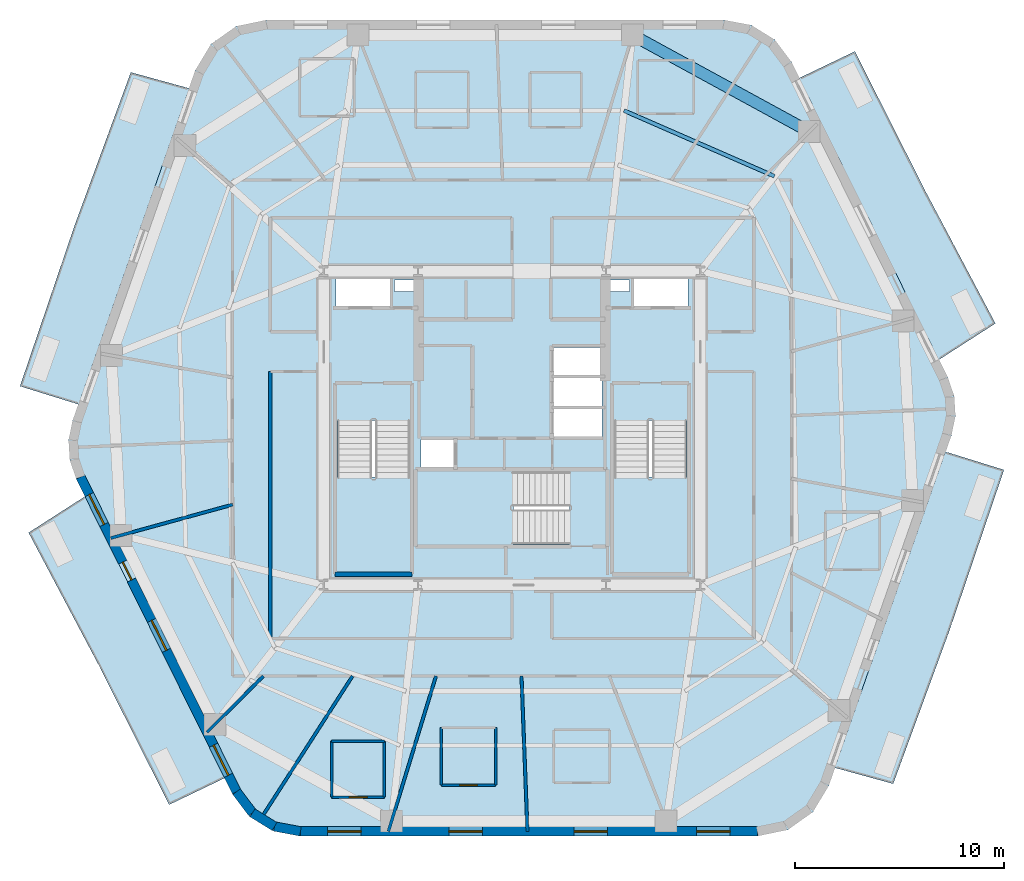
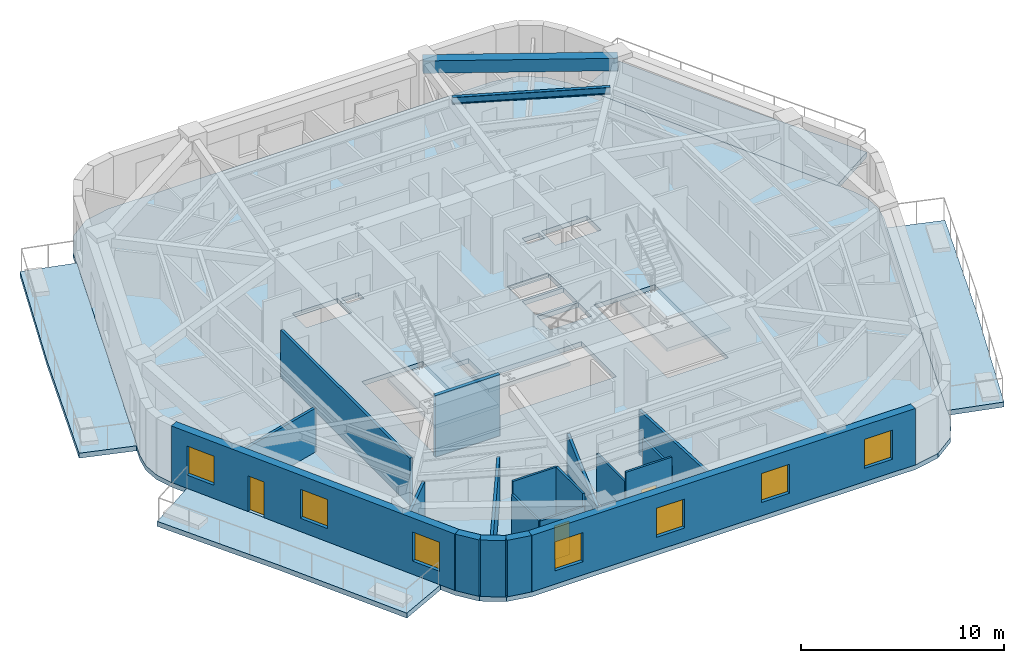
# One storey, part 2 of 10: 19 walls, 8 slabs, 7 windows, 3 doors, 2 beams, 10 openings, 3 elements without a shape of their own.
"""IFC4 building model written with IfcOpenShell, lengths in metres."""

import ifcopenshell
import ifcopenshell.guid

model = None  # the IFC model being written
_history = None  # IfcOwnerHistory: only IFC2X3 demands one
_inside = {}  # id of a spatial element -> (the spatial element, [elements in it])
_under = {}  # id of a project, library or spatial element -> (it, [spatial elements below it])
_declared = {}  # id of a project -> (the project, [libraries it declares])
_typed = {}  # id of a type object -> (the type object, [elements of that type])
_made_of = {}  # id of a material, layer set ... -> (it, [elements and type objects made of it])


def new_model(schema):
    """Start an empty IFC model of exactly this schema.

    Asked for "IFC4X3", IfcOpenShell would pick the latest addendum, in which some entities
    have other attributes; the version numbers below select the first issue.
    IFC2X3 requires an IfcOwnerHistory on every rooted entity: one is made here for all.
    """
    global model, _history
    if schema == "IFC4X3":
        model = ifcopenshell.file(schema_version=(4, 3, 0, 0))
    else:
        model = ifcopenshell.file(schema=schema)
    _inside.clear()
    _under.clear()
    _declared.clear()
    _typed.clear()
    _made_of.clear()
    _history = None
    if model.schema == "IFC2X3":
        org = make("IfcOrganization", Name="unknown")
        user = make(
            "IfcPersonAndOrganization",
            ThePerson=make("IfcPerson", FamilyName="unknown"),
            TheOrganization=org,
        )
        app = make(
            "IfcApplication",
            ApplicationDeveloper=org,
            Version="unknown",
            ApplicationFullName="unknown",
            ApplicationIdentifier="unknown",
        )
        _history = make(
            "IfcOwnerHistory",
            OwningUser=user,
            OwningApplication=app,
            ChangeAction="ADDED",
            CreationDate=0,
        )
    return model


def make(cls, **values):
    """One entity of the class cls with the attributes given. An attribute that is None is left unset."""
    return model.create_entity(
        cls, **{name: value for name, value in values.items() if value is not None}
    )


def rooted(cls, **values):
    """An entity with a GlobalId (a new one), such as an element, a storey or a relation."""
    return make(cls, GlobalId=ifcopenshell.guid.new(), OwnerHistory=_history, **values)


def si_unit(unit_type, name, prefix=None):
    """IfcSIUnit, for example si_unit("LENGTHUNIT", "METRE", prefix="MILLI")."""
    return make("IfcSIUnit", UnitType=unit_type, Prefix=prefix, Name=name)


def assignment(units):
    """IfcUnitAssignment: the units of a project."""
    return None if units is None else make("IfcUnitAssignment", Units=units)


def point(xyz):
    """IfcCartesianPoint."""
    return None if xyz is None else make("IfcCartesianPoint", Coordinates=xyz)


def direction(xyz):
    """IfcDirection."""
    return None if xyz is None else make("IfcDirection", DirectionRatios=xyz)


def frame(location, z_axis=None, x_axis=None):
    """IfcAxis2Placement3D, a coordinate frame: its origin and axes. An axis left out is left unset."""
    return make(
        "IfcAxis2Placement3D",
        Location=point(location),
        Axis=direction(z_axis),
        RefDirection=direction(x_axis),
    )


def frame_2d(location, x_axis=None):
    """IfcAxis2Placement2D, a coordinate frame in the plane: its origin and x axis."""
    return make(
        "IfcAxis2Placement2D", Location=point(location), RefDirection=direction(x_axis)
    )


def origin():
    """The frame at (0, 0, 0) with its axes left unset."""
    return frame((0.0, 0.0, 0.0))


def origin_2d():
    """The frame at (0, 0) in the plane with its x axis left unset."""
    return frame_2d((0.0, 0.0))


def place(relative_to, where):
    """IfcLocalPlacement: puts the frame where relative to a parent placement (None: the world)."""
    return make(
        "IfcLocalPlacement", PlacementRelTo=relative_to, RelativePlacement=where
    )


def context(
    kind, dimensions, precision=None, world=None, true_north=None, identifier=None
):
    """IfcGeometricRepresentationContext, for example the 3D "Model" context."""
    return make(
        "IfcGeometricRepresentationContext",
        ContextIdentifier=identifier,
        ContextType=kind,
        CoordinateSpaceDimension=dimensions,
        Precision=precision,
        WorldCoordinateSystem=world,
        TrueNorth=true_north,
    )


def subcontext(parent, identifier, kind, view, scale=None):
    """IfcGeometricRepresentationSubContext, for example "Body" below "Model"."""
    return make(
        "IfcGeometricRepresentationSubContext",
        ContextIdentifier=identifier,
        ContextType=kind,
        ParentContext=parent,
        TargetScale=scale,
        TargetView=view,
    )


def project(units=None, contexts=None):
    """IfcProject with its units and contexts."""
    return rooted(
        "IfcProject",
        Name="project",
        RepresentationContexts=contexts,
        UnitsInContext=assignment(units),
    )


def spatial(cls, under=None, at=None, **own):
    """A site, building, storey or space (cls), placed at a placement, below another one or the project."""
    s = rooted(cls, ObjectPlacement=at, **own)
    if under is not None:
        _under.setdefault(under.id(), (under, []))[1].append(s)
    return s


def polyline(points):
    """IfcPolyline through the points."""
    return make("IfcPolyline", Points=[point(p) for p in points])


def profile(cls, at=None, kind="AREA", **sizes):
    """A parametric profile (cls). Its sizes go by their IFC names, for example OverallWidth=200.0."""
    return make(cls, ProfileType=kind, Position=at, **sizes)


def rectangle(**sizes):
    """IfcRectangleProfileDef."""
    return profile("IfcRectangleProfileDef", **sizes)


def i_section(**sizes):
    """IfcIShapeProfileDef."""
    return profile("IfcIShapeProfileDef", **sizes)


def outline(outer, holes=None, kind="AREA"):
    """IfcArbitraryClosedProfileDef: a profile drawn as a closed curve; with holes, ...WithVoids."""
    if holes is None:
        return make("IfcArbitraryClosedProfileDef", ProfileType=kind, OuterCurve=outer)
    return make(
        "IfcArbitraryProfileDefWithVoids",
        ProfileType=kind,
        OuterCurve=outer,
        InnerCurves=holes,
    )


def extrude(swept, where, along, depth):
    """IfcExtrudedAreaSolid: the profile swept, set in the frame where, extruded along a direction by depth."""
    return make(
        "IfcExtrudedAreaSolid",
        SweptArea=swept,
        Position=where,
        ExtrudedDirection=direction(along),
        Depth=depth,
    )


def shape(context_of_items, identifier, shape_type, items):
    """IfcShapeRepresentation: the items that make up one representation, for example the "Body"."""
    return make(
        "IfcShapeRepresentation",
        ContextOfItems=context_of_items,
        RepresentationIdentifier=identifier,
        RepresentationType=shape_type,
        Items=items,
    )


def material(Name=None, Category=None):
    """IfcMaterial."""
    return make("IfcMaterial", Name=Name, Category=Category)


def layer(
    of_material, thickness, ventilated=None, Name=None, Category=None, Priority=None
):
    """IfcMaterialLayer: one layer of a wall or slab, of a material (None: an air gap)."""
    return make(
        "IfcMaterialLayer",
        Material=of_material,
        LayerThickness=thickness,
        IsVentilated=ventilated,
        Name=Name,
        Category=Category,
        Priority=Priority,
    )


def layer_set(layers, Name=None):
    """IfcMaterialLayerSet."""
    return make("IfcMaterialLayerSet", MaterialLayers=layers, LayerSetName=Name)


def material_profile(
    of_material, cross_section, Name=None, Category=None, Priority=None
):
    """IfcMaterialProfile: a cross section and its material."""
    return make(
        "IfcMaterialProfile",
        Name=Name,
        Material=of_material,
        Profile=cross_section,
        Priority=Priority,
        Category=Category,
    )


def profile_set(profiles, Name=None, composite=None):
    """IfcMaterialProfileSet."""
    return make(
        "IfcMaterialProfileSet",
        Name=Name,
        MaterialProfiles=profiles,
        CompositeProfile=composite,
    )


def made_of(thing, what):
    """Note that an element or type object is made of a material, layer set ...; save() writes the relation."""
    if what is not None:
        _made_of.setdefault(what.id(), (what, []))[1].append(thing)
    return thing


def type_object(cls, material=None, **own):
    """A type object (cls), such as IfcWallType, which elements share."""
    return made_of(rooted(cls, **own), material)


def element(
    cls,
    number,
    at=None,
    inside=None,
    cuts=None,
    type_object=None,
    material=None,
    context=None,
    identifier="Body",
    shape_type=None,
    held_by="IfcProductDefinitionShape",
    body=None,
    shapes=None,
    **own,
):
    """One element of the class cls, such as IfcWall. Its Tag is "e" and its number.

    at: its placement. inside: the storey or other place that contains it. cuts: it is an
    opening in that element (IfcRelVoidsElement). A single representation is given by context,
    identifier, shape_type and body (its items); several are given by shapes. held_by: the class
    of the entity that holds the representations. save() writes the other relations.
    """
    e = rooted(cls, Tag="e%d" % number, ObjectPlacement=at, **own)
    if body is not None:
        shapes = [shape(context, identifier, shape_type, body)]
    if shapes is not None:
        e.Representation = make(held_by, Representations=shapes)
    if inside is not None:
        _inside.setdefault(inside.id(), (inside, []))[1].append(e)
    if cuts is not None:
        rooted(
            "IfcRelVoidsElement", RelatingBuildingElement=cuts, RelatedOpeningElement=e
        )
    if type_object is not None:
        _typed.setdefault(type_object.id(), (type_object, []))[1].append(e)
    return made_of(e, material)


def fill(opening, filler):
    """IfcRelFillsElement: the door or window that sits in an opening."""
    return rooted(
        "IfcRelFillsElement",
        RelatingOpeningElement=opening,
        RelatedBuildingElement=filler,
    )


def aggregate(whole, parts):
    """IfcRelAggregates: a whole, such as a stair, and the parts it consists of."""
    return rooted("IfcRelAggregates", RelatingObject=whole, RelatedObjects=parts)


def save(model, path):
    """Write the relations noted so far, then the file.

    IfcRelAggregates (storeys below a building ...), IfcRelContainedInSpatialStructure (elements
    in a storey), IfcRelDefinesByType, IfcRelAssociatesMaterial and IfcRelDeclares: one each for
    every whole, place, type object, material and project.
    """
    for whole, parts in _under.values():
        aggregate(whole, parts)
    for where, things in _inside.values():
        rooted(
            "IfcRelContainedInSpatialStructure",
            RelatedElements=things,
            RelatingStructure=where,
        )
    for kind, things in _typed.values():
        rooted("IfcRelDefinesByType", RelatedObjects=things, RelatingType=kind)
    for what, things in _made_of.values():
        rooted("IfcRelAssociatesMaterial", RelatedObjects=things, RelatingMaterial=what)
    for by, libraries in _declared.values():
        rooted("IfcRelDeclares", RelatingContext=by, RelatedDefinitions=libraries)
    model.write(path)


model = new_model("IFC4")

# Units and contexts
model_context = context("Model", 3, precision=1e-05, world=origin(), true_north=direction((0.0, 1.0)))
body_context = subcontext(model_context, "Body", "Model", "MODEL_VIEW")
ifc_project = project(units=[si_unit("LENGTHUNIT", "METRE"), si_unit("AREAUNIT", "SQUARE_METRE"), si_unit("VOLUMEUNIT", "CUBIC_METRE"), si_unit("PLANEANGLEUNIT", "RADIAN"), si_unit("MASSUNIT", "GRAM", prefix="KILO")], contexts=[model_context])

# Site, building, storey
site_placement = place(None, origin())
site = spatial("IfcSite", under=ifc_project, at=site_placement, CompositionType="ELEMENT")
building_placement = place(site_placement, origin())
building = spatial("IfcBuilding", under=site, at=building_placement, Name="Kilnhurst Terrace Hotel", CompositionType="ELEMENT")
storey_placement = place(building_placement, frame((0.0, 0.0, 179.300048828125)))
storey = spatial("IfcBuildingStorey", under=building, at=storey_placement, Name="L44", CompositionType="ELEMENT", Elevation=179.300048828125)

# Beams
ifc_material_1 = material(Name="Concrete C50/60", Category="concrete")
ifc_material_profile_1 = material_profile(ifc_material_1, rectangle(XDim=0.550048828125, YDim=0.75, at=origin_2d()), Name="RC550X750")
ifc_profile_set_1 = profile_set([ifc_material_profile_1], Name="Concrete C50/60")
beam_type_1 = type_object("IfcBeamType", Name="BM-SPN-550X750", PredefinedType="SPANDREL", material=ifc_profile_set_1)
beam_1_placement = place(storey_placement, frame((14.2041015625, 14.166015625, 3.02490234375), z_axis=(-0.87766189723, 0.479280287672, 0.0), x_axis=(-0.479280287672, -0.87766189723, 0.0)))
element("IfcBeam", 1, at=beam_1_placement, inside=storey, type_object=beam_type_1, Name="L44 Perimeter Spandrel Beam 6", PredefinedType="SPANDREL", context=body_context, shape_type="SweptSolid", body=[
    extrude(rectangle(XDim=0.550048828125, YDim=0.75, at=origin_2d()), origin(), (0.0, 0.0, 1.0), 9.626953125),
])
ifc_material_2 = material(Name="Steel ASTM A992 Grade 50", Category="steel")
ifc_material_profile_2 = material_profile(ifc_material_2, i_section(OverallWidth=0.180908203125, OverallDepth=0.417236328125, WebThickness=0.010986328125, FlangeThickness=0.018310546875, at=origin_2d()), Name="W16X57")
ifc_profile_set_2 = profile_set([ifc_material_profile_2], Name="Steel ASTM A992 Grade 50")
beam_type_2 = type_object("IfcBeamType", Name="JST-STL-W16X57", PredefinedType="JOIST", material=ifc_profile_set_2)
beam_2_placement = place(storey_placement, frame((12.538818359375, 12.032958984375, 3.19091796875), z_axis=(-0.916443679054, 0.400163695407, 0.0), x_axis=(-0.400163695407, -0.916443679054, 0.0)))
element("IfcBeam", 2, at=beam_2_placement, inside=storey, type_object=beam_type_2, Name="L44 Secondary Floor Steel Joist OUT.6", PredefinedType="JOIST", context=body_context, shape_type="SweptSolid", body=[
    extrude(i_section(OverallWidth=0.180908203125, OverallDepth=0.417236328125, WebThickness=0.010986328125, FlangeThickness=0.018310546875, at=origin_2d()), origin(), (0.0, 0.0, 1.0), 7.84033203125),
])

# Slabs
ifc_layer_1 = layer(ifc_material_1, 0.300048828125, Name="Concrete C50/60")
ifc_layer_set_1 = layer_set([ifc_layer_1], Name="Concrete C50/60")
slab_type_1 = type_object("IfcSlabType", Name="SLB-BAL-300", PredefinedType="FLOOR", material=ifc_layer_set_1)
slab_1_placement = place(storey_placement, frame((0.0, 0.0, -0.300048828125)))
element("IfcSlab", 3, at=slab_1_placement, inside=storey, type_object=slab_type_1, Name="L44 Cantilevered Planted Terrace Slab BAL-L1A", PredefinedType="FLOOR", context=body_context, shape_type="SweptSolid", body=[
    extrude(outline(polyline([(20.892333984375, -9.7119140625), (18.216064453125, -17.0), (15.420654296875, -16.2314453125), (20.708251953125, -1.128662109375), (23.511962890625, -2.0), (20.892333984375, -9.7119140625)])), origin(), (0.0, 0.0, 1.0), 0.300048828125),
])
slab_2_placement = place(storey_placement, frame((0.0, 0.0, -0.300048828125)))
element("IfcSlab", 4, at=slab_2_placement, inside=storey, type_object=slab_type_1, Name="L44 Cantilevered Planted Terrace Slab BAL-L1B", PredefinedType="FLOOR", context=body_context, shape_type="SweptSolid", body=[
    extrude(outline(polyline([(23.100830078125, 5.0), (20.393310546875, 3.25927734375), (13.718505859375, 16.72021484375), (16.384033203125, 18.0), (19.769287109375, 11.293212890625), (23.100830078125, 5.0)])), origin(), (0.0, 0.0, 1.0), 0.300048828125),
])
slab_3_placement = place(storey_placement, frame((0.0, 0.0, -0.300048828125)))
element("IfcSlab", 5, at=slab_3_placement, inside=storey, type_object=slab_type_1, Name="L44 Cantilevered Planted Terrace Slab BAL-L2A", PredefinedType="FLOOR", context=body_context, shape_type="SweptSolid", body=[
    extrude(outline(polyline([(-18.216064453125, 17.0), (-15.420654296875, 16.2314453125), (-20.708251953125, 1.128662109375), (-23.511962890625, 2.0), (-20.892333984375, 9.7119140625), (-18.216064453125, 17.0)])), origin(), (0.0, 0.0, 1.0), 0.300048828125),
])
slab_4_placement = place(storey_placement, frame((0.0, 0.0, -0.300048828125)))
element("IfcSlab", 6, at=slab_4_placement, inside=storey, type_object=slab_type_1, Name="L44 Cantilevered Planted Terrace Slab BAL-L2B", PredefinedType="FLOOR", context=body_context, shape_type="SweptSolid", body=[
    extrude(outline(polyline([(-23.100830078125, -5.0), (-20.393310546875, -3.25927734375), (-13.718505859375, -16.72021484375), (-16.384033203125, -18.0), (-19.769287109375, -11.293212890625), (-23.100830078125, -5.0)])), origin(), (0.0, 0.0, 1.0), 0.300048828125),
])
ifc_layer_2 = layer(ifc_material_1, 0.280029296875, Name="Concrete C50/60")
ifc_layer_set_2 = layer_set([ifc_layer_2], Name="Concrete C50/60")
slab_type_2 = type_object("IfcSlabType", Name="SLB-FLR-280", PredefinedType="FLOOR", material=ifc_layer_set_2)
slab_5_placement = place(storey_placement, frame((0.0, 0.0, -0.280029296875)))
element("IfcSlab", 7, at=slab_5_placement, inside=storey, type_object=slab_type_2, Name="L44 Structural Floor Slab", PredefinedType="FLOOR", context=body_context, shape_type="SweptSolid", body=[
    extrude(outline(polyline([(-13.3544921875, -17.499267578125), (-12.5576171875, -18.5576171875), (-11.431640625, -19.256103515625), (-10.12939453125, -19.5), (11.74365234375, -19.5), (13.18310546875, -19.19970703125), (14.38232421875, -18.348876953125), (15.141357421875, -17.089599609375), (20.9990234375, -0.3583984375), (21.192138671875, 0.57568359375), (21.13330078125, 1.527587890625), (20.82666015625, 2.4306640625), (13.3544921875, 17.499267578125), (12.5576171875, 18.5576171875), (11.431640625, 19.256103515625), (10.12939453125, 19.5), (-11.74365234375, 19.5), (-13.18310546875, 19.19970703125), (-14.38232421875, 18.348876953125), (-15.141357421875, 17.089599609375), (-20.9990234375, 0.3583984375), (-21.192138671875, -0.57568359375), (-21.13330078125, -1.527587890625), (-20.82666015625, -2.4306640625), (-13.3544921875, -17.499267578125)]), holes=[polyline([(2.7548828125, -2.080078125), (2.7548828125, -5.550048828125), (-4.5, -5.550048828125), (-4.5, -2.080078125), (2.7548828125, -2.080078125)]), polyline([(-8.35009765625, 0.35498046875), (-4.8798828125, 0.35498046875), (-4.8798828125, -6.89990234375), (-8.35009765625, -6.89990234375), (-8.35009765625, 0.35498046875)]), polyline([(-2.800048828125, -1.89990234375), (-4.35009765625, -1.89990234375), (-4.35009765625, -0.550048828125), (-2.800048828125, -0.550048828125), (-2.800048828125, -1.89990234375)]), polyline([(1.949951171875, -0.429931640625), (1.949951171875, 0.89990234375), (4.300048828125, 0.89990234375), (4.300048828125, -0.429931640625), (1.949951171875, -0.429931640625)]), polyline([(-8.39990234375, 5.75), (-8.39990234375, 7.14990234375), (-5.800048828125, 7.14990234375), (-5.800048828125, 5.75), (-8.39990234375, 5.75)]), polyline([(-4.659912109375, 6.52001953125), (-5.6201171875, 6.52001953125), (-5.6201171875, 7.080078125), (-4.659912109375, 7.080078125), (-4.659912109375, 6.52001953125)]), polyline([(8.35009765625, 0.35498046875), (8.35009765625, -6.89990234375), (4.8798828125, -6.89990234375), (4.8798828125, 0.35498046875), (8.35009765625, 0.35498046875)]), polyline([(1.949951171875, 1.050048828125), (1.949951171875, 2.3798828125), (4.300048828125, 2.3798828125), (4.300048828125, 1.050048828125), (1.949951171875, 1.050048828125)]), polyline([(4.300048828125, 2.530029296875), (1.949951171875, 2.530029296875), (1.949951171875, 3.860107421875), (4.300048828125, 3.860107421875), (4.300048828125, 2.530029296875)]), polyline([(5.800048828125, 5.75), (5.800048828125, 7.14990234375), (8.39990234375, 7.14990234375), (8.39990234375, 5.75), (5.800048828125, 5.75)]), polyline([(4.659912109375, 6.52001953125), (4.659912109375, 7.080078125), (5.6201171875, 7.080078125), (5.6201171875, 6.52001953125), (4.659912109375, 6.52001953125)])]), origin(), (0.0, 0.0, 1.0), 0.280029296875),
])

# Stair, slab
stair_type = type_object("IfcStairType", Name="STR-CORE-1660", PredefinedType="HALF_TURN_STAIR", material=ifc_material_1)
stair_1_placement = place(storey_placement, origin())
stair_1 = element("IfcStair", 8, at=stair_1_placement, inside=storey, type_object=stair_type, Name="L44 ST-1", PredefinedType="HALF_TURN_STAIR")
ifc_layer_3 = layer(ifc_material_1, 0.199951171875, Name="Concrete C50/60")
ifc_layer_set_3 = layer_set([ifc_layer_3], Name="Concrete C50/60")
slab_type_3 = type_object("IfcSlabType", Name="SLB-ST-LND-200", PredefinedType="LANDING", material=ifc_layer_set_3)
slab_6_placement = place(storey_placement, frame((0.0, 0.0, 1.64990234375)))
slab_6 = element("IfcSlab", 9, at=slab_6_placement, type_object=slab_type_3, Name="ST-1 landing 1", PredefinedType="LANDING", context=body_context, shape_type="SweptSolid", body=[
    extrude(outline(polyline([(-8.429931640625, -2.330078125), (-4.800048828125, -2.330078125), (-4.800048828125, -6.97998046875), (-8.429931640625, -6.97998046875), (-8.429931640625, -2.330078125)])), origin(), (0.0, 0.0, 1.0), 0.199951171875),
])
aggregate(stair_1, [slab_6])

stair_2_placement = place(storey_placement, origin())
stair_2 = element("IfcStair", 10, at=stair_2_placement, inside=storey, type_object=stair_type, Name="L44 ST-2", PredefinedType="HALF_TURN_STAIR")
slab_7_placement = place(storey_placement, frame((0.0, 0.0, 1.64990234375)))
slab_7 = element("IfcSlab", 11, at=slab_7_placement, type_object=slab_type_3, Name="ST-2 landing 1", PredefinedType="LANDING", context=body_context, shape_type="SweptSolid", body=[
    extrude(outline(polyline([(4.800048828125, -2.330078125), (8.429931640625, -2.330078125), (8.429931640625, -6.97998046875), (4.800048828125, -6.97998046875), (4.800048828125, -2.330078125)])), origin(), (0.0, 0.0, 1.0), 0.199951171875),
])
aggregate(stair_2, [slab_7])

stair_3_placement = place(storey_placement, origin())
stair_3 = element("IfcStair", 12, at=stair_3_placement, inside=storey, type_object=stair_type, Name="L44 ST-3", PredefinedType="HALF_TURN_STAIR")
slab_8_placement = place(storey_placement, frame((0.0, 0.0, 1.64990234375)))
slab_8 = element("IfcSlab", 13, at=slab_8_placement, type_object=slab_type_3, Name="ST-3 landing 1", PredefinedType="LANDING", context=body_context, shape_type="SweptSolid", body=[
    extrude(outline(polyline([(0.070068359375, -2.0), (0.070068359375, -5.6298828125), (-4.580078125, -5.6298828125), (-4.580078125, -2.0), (0.070068359375, -2.0)])), origin(), (0.0, 0.0, 1.0), 0.199951171875),
])
aggregate(stair_3, [slab_8])

# Walls
ifc_material_3 = material(Name="Precast concrete C40/50", Category="concrete")
ifc_layer_4 = layer(ifc_material_3, 0.449951171875, Name="Precast concrete C40/50")
ifc_layer_set_4 = layer_set([ifc_layer_4], Name="Precast concrete C40/50")
wall_type_1 = type_object("IfcWallType", Name="WL-BRK-450", PredefinedType="SOLIDWALL", material=ifc_layer_set_4)
wall_1_placement = place(storey_placement, frame((-13.162353515625, -17.380615234375, 0.0), z_axis=(0.0, 0.0, 1.0), x_axis=(0.601515770517, -0.798860925205, 0.0)))
element("IfcWall", 14, at=wall_1_placement, inside=storey, type_object=wall_type_1, Name="L44 Rounded Corner Brick Wall C1.1", PredefinedType="SOLIDWALL", context=body_context, shape_type="SweptSolid", body=[
    extrude(rectangle(XDim=1.261962890625, YDim=0.449951171875, at=frame_2d((0.630859375, 0.0))), origin(), (0.0, 0.0, 1.0), 3.39990234375),
])
wall_2_placement = place(storey_placement, frame((-12.4033203125, -18.388671875, 0.0), z_axis=(0.0, 0.0, 1.0), x_axis=(0.849795170926, -0.527113049991, 0.0)))
element("IfcWall", 15, at=wall_2_placement, inside=storey, type_object=wall_type_1, Name="L44 Rounded Corner Brick Wall C1.2", PredefinedType="SOLIDWALL", context=body_context, shape_type="SweptSolid", body=[
    extrude(rectangle(XDim=1.24072265625, YDim=0.449951171875, at=frame_2d((0.620361328125, 0.0))), origin(), (0.0, 0.0, 1.0), 3.39990234375),
])
wall_3_placement = place(storey_placement, frame((-11.348876953125, -19.042724609375, 0.0), z_axis=(0.0, 0.0, 1.0), x_axis=(0.982931267051, -0.183973161772, 0.0)))
element("IfcWall", 16, at=wall_3_placement, inside=storey, type_object=wall_type_1, Name="L44 Rounded Corner Brick Wall C1.3", PredefinedType="SOLIDWALL", context=body_context, shape_type="SweptSolid", body=[
    extrude(rectangle(XDim=1.261962890625, YDim=0.449951171875, at=frame_2d((0.630859375, 0.0))), origin(), (0.0, 0.0, 1.0), 3.39990234375),
])

# Wall, openings, windows
wall_4_placement = place(storey_placement, frame((-10.1083984375, -19.27490234375, 0.0), z_axis=(0.0, 0.0, 1.0), x_axis=(1.0, 0.0, 0.0)))
wall_4 = element("IfcWall", 17, at=wall_4_placement, inside=storey, type_object=wall_type_1, Name="L44 Exterior Brick Facade Wall F1", PredefinedType="SOLIDWALL", context=body_context, shape_type="SweptSolid", body=[
    extrude(rectangle(XDim=21.828857421875, YDim=0.449951171875, at=frame_2d((10.91455078125, 0.0))), origin(), (0.0, 0.0, 1.0), 3.39990234375),
])
opening_1_placement = place(wall_4_placement, frame((1.297119140625, 0.0, 0.800048828125)))
opening_1 = element("IfcOpeningElement", 18, at=opening_1_placement, cuts=wall_4, Name="Opening W-05", PredefinedType="OPENING", context=body_context, shape_type="SweptSolid", body=[
    extrude(rectangle(XDim=1.60009765625, YDim=1.75, at=frame_2d((0.800048828125, 0.875))), frame((0.0, 0.23486328125, 0.0), z_axis=(0.0, -1.0, 0.0), x_axis=(1.0, 0.0, 0.0)), (0.0, 0.0, 1.0), 0.469970703125),
])
opening_2_placement = place(wall_4_placement, frame((7.090087890625, 0.0, 0.800048828125)))
opening_2 = element("IfcOpeningElement", 19, at=opening_2_placement, cuts=wall_4, Name="Opening W-05", PredefinedType="OPENING", context=body_context, shape_type="SweptSolid", body=[
    extrude(rectangle(XDim=1.60009765625, YDim=1.75, at=frame_2d((0.800048828125, 0.875))), frame((0.0, 0.23486328125, 0.0), z_axis=(0.0, -1.0, 0.0), x_axis=(1.0, 0.0, 0.0)), (0.0, 0.0, 1.0), 0.469970703125),
])
opening_3_placement = place(wall_4_placement, frame((13.072021484375, 0.0, 0.800048828125)))
opening_3 = element("IfcOpeningElement", 20, at=opening_3_placement, cuts=wall_4, Name="Opening W-05", PredefinedType="OPENING", context=body_context, shape_type="SweptSolid", body=[
    extrude(rectangle(XDim=1.60009765625, YDim=1.75, at=frame_2d((0.800048828125, 0.875))), frame((0.0, 0.23486328125, 0.0), z_axis=(0.0, -1.0, 0.0), x_axis=(1.0, 0.0, 0.0)), (0.0, 0.0, 1.0), 0.469970703125),
])
opening_4_placement = place(wall_4_placement, frame((18.93310546875, 0.0, 0.800048828125)))
opening_4 = element("IfcOpeningElement", 21, at=opening_4_placement, cuts=wall_4, Name="Opening W-05", PredefinedType="OPENING", context=body_context, shape_type="SweptSolid", body=[
    extrude(rectangle(XDim=1.60009765625, YDim=1.75, at=frame_2d((0.800048828125, 0.875))), frame((0.0, 0.23486328125, 0.0), z_axis=(0.0, -1.0, 0.0), x_axis=(1.0, 0.0, 0.0)), (0.0, 0.0, 1.0), 0.469970703125),
])
ifc_material_4 = material(Name="Thermally Broken Bronze Aluminium Alloy 6063-T6 and Low-E Glass", Category="aluminium")
window_type = type_object("IfcWindowType", Name="WIN-1600X1750", PartitioningType="SINGLE_PANEL", PredefinedType="WINDOW", material=ifc_material_4)
window_1_placement = place(opening_1_placement, origin())
window_1 = element("IfcWindow", 22, at=window_1_placement, inside=storey, type_object=window_type, Name="L44 Deep-Set Masonry Window F1.1", OverallHeight=1.75, OverallWidth=1.60009765625, PartitioningType="SINGLE_PANEL", PredefinedType="WINDOW", context=body_context, shape_type="SweptSolid", body=[
    extrude(rectangle(XDim=1.60009765625, YDim=1.75, at=frame_2d((0.800048828125, 0.875))), frame((0.0, 0.030029296875, 0.0), z_axis=(0.0, -1.0, 0.0), x_axis=(1.0, 0.0, 0.0)), (0.0, 0.0, 1.0), 0.06005859375),
])
fill(opening_1, window_1)
window_2_placement = place(opening_2_placement, origin())
window_2 = element("IfcWindow", 23, at=window_2_placement, inside=storey, type_object=window_type, Name="L44 Deep-Set Masonry Window F1.2", OverallHeight=1.75, OverallWidth=1.60009765625, PartitioningType="SINGLE_PANEL", PredefinedType="WINDOW", context=body_context, shape_type="SweptSolid", body=[
    extrude(rectangle(XDim=1.60009765625, YDim=1.75, at=frame_2d((0.800048828125, 0.875))), frame((0.0, 0.030029296875, 0.0), z_axis=(0.0, -1.0, 0.0), x_axis=(1.0, 0.0, 0.0)), (0.0, 0.0, 1.0), 0.06005859375),
])
fill(opening_2, window_2)
window_3_placement = place(opening_3_placement, origin())
window_3 = element("IfcWindow", 24, at=window_3_placement, inside=storey, type_object=window_type, Name="L44 Deep-Set Masonry Window F1.3", OverallHeight=1.75, OverallWidth=1.60009765625, PartitioningType="SINGLE_PANEL", PredefinedType="WINDOW", context=body_context, shape_type="SweptSolid", body=[
    extrude(rectangle(XDim=1.60009765625, YDim=1.75, at=frame_2d((0.800048828125, 0.875))), frame((0.0, 0.030029296875, 0.0), z_axis=(0.0, -1.0, 0.0), x_axis=(1.0, 0.0, 0.0)), (0.0, 0.0, 1.0), 0.06005859375),
])
fill(opening_3, window_3)
window_4_placement = place(opening_4_placement, origin())
window_4 = element("IfcWindow", 25, at=window_4_placement, inside=storey, type_object=window_type, Name="L44 Deep-Set Masonry Window F1.4", OverallHeight=1.75, OverallWidth=1.60009765625, PartitioningType="SINGLE_PANEL", PredefinedType="WINDOW", context=body_context, shape_type="SweptSolid", body=[
    extrude(rectangle(XDim=1.60009765625, YDim=1.75, at=frame_2d((0.800048828125, 0.875))), frame((0.0, 0.030029296875, 0.0), z_axis=(0.0, -1.0, 0.0), x_axis=(1.0, 0.0, 0.0)), (0.0, 0.0, 1.0), 0.06005859375),
])
fill(opening_4, window_4)

# Wall, openings, door, windows
wall_5_placement = place(storey_placement, frame((-20.618408203125, -2.343994140625, 0.0), z_axis=(0.0, 0.0, 1.0), x_axis=(0.444243691097, -0.895905990002, 0.0)))
wall_5 = element("IfcWall", 26, at=wall_5_placement, inside=storey, type_object=wall_type_1, Name="L44 Exterior Brick Facade Wall F6", PredefinedType="SOLIDWALL", context=body_context, shape_type="SweptSolid", body=[
    extrude(rectangle(XDim=16.78369140625, YDim=0.449951171875, at=frame_2d((8.391845703125, 0.0))), origin(), (0.0, 0.0, 1.0), 3.39990234375),
])
opening_5_placement = place(wall_5_placement, frame((4.534912109375, 0.0, 0.0)))
opening_5 = element("IfcOpeningElement", 27, at=opening_5_placement, cuts=wall_5, Name="Opening BD-950", PredefinedType="OPENING", context=body_context, shape_type="SweptSolid", body=[
    extrude(rectangle(XDim=0.949951171875, YDim=2.14990234375, at=frame_2d((0.47509765625, 1.074951171875))), frame((0.0, 0.23486328125, 0.0), z_axis=(0.0, -1.0, 0.0), x_axis=(1.0, 0.0, 0.0)), (0.0, 0.0, 1.0), 0.469970703125),
])
opening_6_placement = place(wall_5_placement, frame((0.930908203125, 0.0, 0.800048828125)))
opening_6 = element("IfcOpeningElement", 28, at=opening_6_placement, cuts=wall_5, Name="Opening W-05", PredefinedType="OPENING", context=body_context, shape_type="SweptSolid", body=[
    extrude(rectangle(XDim=1.60009765625, YDim=1.75, at=frame_2d((0.800048828125, 0.875))), frame((0.0, 0.23486328125, 0.0), z_axis=(0.0, -1.0, 0.0), x_axis=(1.0, 0.0, 0.0)), (0.0, 0.0, 1.0), 0.469970703125),
])
opening_7_placement = place(wall_5_placement, frame((7.64208984375, 0.0, 0.800048828125)))
opening_7 = element("IfcOpeningElement", 29, at=opening_7_placement, cuts=wall_5, Name="Opening W-05", PredefinedType="OPENING", context=body_context, shape_type="SweptSolid", body=[
    extrude(rectangle(XDim=1.60009765625, YDim=1.75, at=frame_2d((0.800048828125, 0.875))), frame((0.0, 0.23486328125, 0.0), z_axis=(0.0, -1.0, 0.0), x_axis=(1.0, 0.0, 0.0)), (0.0, 0.0, 1.0), 0.469970703125),
])
opening_8_placement = place(wall_5_placement, frame((14.302978515625, 0.0, 0.800048828125)))
opening_8 = element("IfcOpeningElement", 30, at=opening_8_placement, cuts=wall_5, Name="Opening W-05", PredefinedType="OPENING", context=body_context, shape_type="SweptSolid", body=[
    extrude(rectangle(XDim=1.60009765625, YDim=1.75, at=frame_2d((0.800048828125, 0.875))), frame((0.0, 0.23486328125, 0.0), z_axis=(0.0, -1.0, 0.0), x_axis=(1.0, 0.0, 0.0)), (0.0, 0.0, 1.0), 0.469970703125),
])
ifc_material_5 = material(Name="Thermally Broken Bronze Aluminium Alloy 6063-T6 and Laminated Glass", Category="aluminium")
door_type_1 = type_object("IfcDoorType", Name="DR-EXT-BAL-950", OperationType="NOTDEFINED", PredefinedType="DOOR", material=ifc_material_5)
door_1_placement = place(opening_5_placement, origin())
door_1 = element("IfcDoor", 31, at=door_1_placement, inside=storey, type_object=door_type_1, Name="L44 Planted Balcony Door BAL-L2B", OperationType="SINGLE_SWING_RIGHT", OverallHeight=2.14990234375, OverallWidth=0.949951171875, PredefinedType="DOOR", context=body_context, shape_type="SweptSolid", body=[
    extrude(rectangle(XDim=0.949951171875, YDim=2.14990234375, at=frame_2d((0.47509765625, 1.074951171875))), frame((0.0, 0.02490234375, 0.0), z_axis=(0.0, -1.0, 0.0), x_axis=(1.0, 0.0, 0.0)), (0.0, 0.0, 1.0), 0.050048828125),
])
fill(opening_5, door_1)
window_5_placement = place(opening_6_placement, origin())
window_5 = element("IfcWindow", 32, at=window_5_placement, inside=storey, type_object=window_type, Name="L44 Deep-Set Masonry Window F6.1", OverallHeight=1.75, OverallWidth=1.60009765625, PartitioningType="SINGLE_PANEL", PredefinedType="WINDOW", context=body_context, shape_type="SweptSolid", body=[
    extrude(rectangle(XDim=1.60009765625, YDim=1.75, at=frame_2d((0.800048828125, 0.875))), frame((0.0, 0.030029296875, 0.0), z_axis=(0.0, -1.0, 0.0), x_axis=(1.0, 0.0, 0.0)), (0.0, 0.0, 1.0), 0.06005859375),
])
fill(opening_6, window_5)
window_6_placement = place(opening_7_placement, origin())
window_6 = element("IfcWindow", 33, at=window_6_placement, inside=storey, type_object=window_type, Name="L44 Deep-Set Masonry Window F6.2", OverallHeight=1.75, OverallWidth=1.60009765625, PartitioningType="SINGLE_PANEL", PredefinedType="WINDOW", context=body_context, shape_type="SweptSolid", body=[
    extrude(rectangle(XDim=1.60009765625, YDim=1.75, at=frame_2d((0.800048828125, 0.875))), frame((0.0, 0.030029296875, 0.0), z_axis=(0.0, -1.0, 0.0), x_axis=(1.0, 0.0, 0.0)), (0.0, 0.0, 1.0), 0.06005859375),
])
fill(opening_7, window_6)
window_7_placement = place(opening_8_placement, origin())
window_7 = element("IfcWindow", 34, at=window_7_placement, inside=storey, type_object=window_type, Name="L44 Deep-Set Masonry Window F6.3", OverallHeight=1.75, OverallWidth=1.60009765625, PartitioningType="SINGLE_PANEL", PredefinedType="WINDOW", context=body_context, shape_type="SweptSolid", body=[
    extrude(rectangle(XDim=1.60009765625, YDim=1.75, at=frame_2d((0.800048828125, 0.875))), frame((0.0, 0.030029296875, 0.0), z_axis=(0.0, -1.0, 0.0), x_axis=(1.0, 0.0, 0.0)), (0.0, 0.0, 1.0), 0.06005859375),
])
fill(opening_8, window_7)

# Walls
ifc_material_6 = material(Name="Acoustic Double-Gypsum Corridor Partition Assembly")
ifc_layer_5 = layer(ifc_material_6, 0.14990234375, Name="Acoustic Double-Gypsum Corridor Partition Assembly")
ifc_layer_set_5 = layer_set([ifc_layer_5], Name="Acoustic Double-Gypsum Corridor Partition Assembly")
wall_type_2 = type_object("IfcWallType", Name="WL-COR-150", PredefinedType="PARTITIONING", material=ifc_layer_set_5)
wall_6_placement = place(storey_placement, frame((-11.550048828125, 2.699951171875, 0.0), z_axis=(0.0, 0.0, 1.0), x_axis=(0.0, -1.0, 0.0)))
element("IfcWall", 35, at=wall_6_placement, inside=storey, type_object=wall_type_2, Name="L44 Interior Wall WL-L44-COR-16", PredefinedType="PARTITIONING", context=body_context, shape_type="SweptSolid", body=[
    extrude(rectangle(XDim=12.75, YDim=0.14990234375, at=frame_2d((6.375, 0.0))), origin(), (0.0, 0.0, 1.0), 2.83984375),
])
ifc_material_7 = material(Name="STC-58 Acoustic Twin-Frame Guestroom Demising Partition")
ifc_layer_6 = layer(ifc_material_7, 0.14990234375, Name="STC-58 Acoustic Twin-Frame Guestroom Demising Partition")
ifc_layer_set_6 = layer_set([ifc_layer_6], Name="STC-58 Acoustic Twin-Frame Guestroom Demising Partition")
wall_type_3 = type_object("IfcWallType", Name="WL-DEM-150", PredefinedType="PARTITIONING", material=ifc_layer_set_6)
wall_7_placement = place(storey_placement, frame((-13.35009765625, -3.66064453125, 0.0), z_axis=(0.0, 0.0, 1.0), x_axis=(-0.964397145454, -0.264458211898, 0.0)))
element("IfcWall", 36, at=wall_7_placement, inside=storey, type_object=wall_type_3, Name="L44 Interior Wall WL-L44-DEM-COL07-12-1", PredefinedType="PARTITIONING", context=body_context, shape_type="SweptSolid", body=[
    extrude(rectangle(XDim=6.03857421875, YDim=0.14990234375, at=frame_2d((3.019287109375, 0.0))), origin(), (0.0, 0.0, 1.0), 2.639892578125),
])
wall_8_placement = place(storey_placement, frame((-11.8818359375, -11.85009765625, 0.0), z_axis=(0.0, 0.0, 1.0), x_axis=(-0.708037373639, -0.706174962407, 0.0)))
element("IfcWall", 37, at=wall_8_placement, inside=storey, type_object=wall_type_3, Name="L44 Interior Wall WL-L44-DEM-COL08-13-1", PredefinedType="PARTITIONING", context=body_context, shape_type="SweptSolid", body=[
    extrude(rectangle(XDim=3.801513671875, YDim=0.14990234375, at=frame_2d((1.90087890625, 0.0))), origin(), (0.0, 0.0, 1.0), 2.639892578125),
])
wall_9_placement = place(storey_placement, frame((-7.619140625, -11.85009765625, 0.0), z_axis=(0.0, 0.0, 1.0), x_axis=(-0.540829263478, -0.841132396098, 0.0)))
element("IfcWall", 38, at=wall_9_placement, inside=storey, type_object=wall_type_3, Name="L44 Interior Wall WL-L44-DEM-MID08-14-1", PredefinedType="PARTITIONING", context=body_context, shape_type="SweptSolid", body=[
    extrude(rectangle(XDim=7.919189453125, YDim=0.14990234375, at=frame_2d((3.95947265625, 0.0))), origin(), (0.0, 0.0, 1.0), 2.639892578125),
])
wall_10_placement = place(storey_placement, frame((-3.63134765625, -11.85009765625, 0.0), z_axis=(0.0, 0.0, 1.0), x_axis=(-0.293007573338, -0.956110120209, 0.0)))
element("IfcWall", 39, at=wall_10_placement, inside=storey, type_object=wall_type_3, Name="L44 Interior Wall WL-L44-DEM-COL09-15-1", PredefinedType="PARTITIONING", context=body_context, shape_type="SweptSolid", body=[
    extrude(rectangle(XDim=7.765625, YDim=0.14990234375, at=frame_2d((3.8828125, 0.0))), origin(), (0.0, 0.0, 1.0), 2.639892578125),
])
wall_11_placement = place(storey_placement, frame((0.453857421875, -11.85009765625, 0.0), z_axis=(0.0, 0.0, 1.0), x_axis=(0.038279171143, -0.999267083945, 0.0)))
element("IfcWall", 40, at=wall_11_placement, inside=storey, type_object=wall_type_3, Name="L44 Interior Wall WL-L44-DEM-MID09-16-1", PredefinedType="PARTITIONING", context=body_context, shape_type="SweptSolid", body=[
    extrude(rectangle(XDim=7.43017578125, YDim=0.14990234375, at=frame_2d((3.715087890625, 0.0))), origin(), (0.0, 0.0, 1.0), 2.639892578125),
])

# Wall, opening, door
ifc_material_8 = material(Name="120 mm Moisture-Resistant Tile-Backed Bathroom Partition")
ifc_layer_7 = layer(ifc_material_8, 0.1201171875, Name="120 mm Moisture-Resistant Tile-Backed Bathroom Partition")
ifc_layer_set_7 = layer_set([ifc_layer_7], Name="120 mm Moisture-Resistant Tile-Backed Bathroom Partition")
wall_type_4 = type_object("IfcWallType", Name="WL-PART-120", PredefinedType="PARTITIONING", material=ifc_layer_set_7)
wall_12_placement = place(storey_placement, frame((-8.614013671875, -17.638916015625, 0.0), z_axis=(0.0, 0.0, 1.0), x_axis=(1.0, 0.0, 0.0)))
wall_12 = element("IfcWall", 41, at=wall_12_placement, inside=storey, type_object=wall_type_4, Name="L44 Interior Wall WL-L44-BTH-14-1", PredefinedType="PARTITIONING", context=body_context, shape_type="SweptSolid", body=[
    extrude(rectangle(XDim=2.52001953125, YDim=0.1201171875, at=frame_2d((1.260009765625, 0.0))), origin(), (0.0, 0.0, 1.0), 2.639892578125),
])
opening_9_placement = place(wall_12_placement, frame((0.8349609375, 0.0, 0.0)))
opening_9 = element("IfcOpeningElement", 42, at=opening_9_placement, cuts=wall_12, Name="Opening D-08A", PredefinedType="OPENING", context=body_context, shape_type="SweptSolid", body=[
    extrude(rectangle(XDim=0.85009765625, YDim=2.030029296875, at=frame_2d((0.425048828125, 1.01513671875))), frame((0.0, 0.070068359375, 0.0), z_axis=(0.0, -1.0, 0.0), x_axis=(1.0, 0.0, 0.0)), (0.0, 0.0, 1.0), 0.14013671875),
])
ifc_material_9 = material(Name="Moisture-Resistant Lacquered En-suite Bathroom Door")
door_type_2 = type_object("IfcDoorType", Name="DR-INT-850", OperationType="NOTDEFINED", PredefinedType="DOOR", material=ifc_material_9)
door_2_placement = place(opening_9_placement, origin())
door_2 = element("IfcDoor", 43, at=door_2_placement, inside=storey, type_object=door_type_2, Name="L44 En-suite Bathroom Door 14", OperationType="SINGLE_SWING_LEFT", OverallHeight=2.030029296875, OverallWidth=0.85009765625, PredefinedType="DOOR", context=body_context, shape_type="SweptSolid", body=[
    extrude(rectangle(XDim=0.85009765625, YDim=2.030029296875, at=frame_2d((0.425048828125, 1.01513671875))), frame((0.0, 0.02490234375, 0.0), z_axis=(0.0, -1.0, 0.0), x_axis=(1.0, 0.0, 0.0)), (0.0, 0.0, 1.0), 0.050048828125),
])
fill(opening_9, door_2)

# Walls
wall_13_placement = place(storey_placement, frame((-6.093994140625, -17.638916015625, 0.0), z_axis=(0.0, 0.0, 1.0), x_axis=(0.0, 1.0, 0.0)))
element("IfcWall", 44, at=wall_13_placement, inside=storey, type_object=wall_type_4, Name="L44 Interior Wall WL-L44-BTH-14-2", PredefinedType="PARTITIONING", context=body_context, shape_type="SweptSolid", body=[
    extrude(rectangle(XDim=2.679931640625, YDim=0.1201171875, at=frame_2d((1.33984375, 0.0))), origin(), (0.0, 0.0, 1.0), 3.39990234375),
])
wall_14_placement = place(storey_placement, frame((-6.093994140625, -14.958984375, 0.0), z_axis=(0.0, 0.0, 1.0), x_axis=(-1.0, 0.0, 0.0)))
element("IfcWall", 45, at=wall_14_placement, inside=storey, type_object=wall_type_4, Name="L44 Interior Wall WL-L44-BTH-14-3", PredefinedType="PARTITIONING", context=body_context, shape_type="SweptSolid", body=[
    extrude(rectangle(XDim=2.52001953125, YDim=0.1201171875, at=frame_2d((1.260009765625, 0.0))), origin(), (0.0, 0.0, 1.0), 3.39990234375),
])
wall_15_placement = place(storey_placement, frame((-8.614013671875, -14.958984375, 0.0), z_axis=(0.0, 0.0, 1.0), x_axis=(0.0, -1.0, 0.0)))
element("IfcWall", 46, at=wall_15_placement, inside=storey, type_object=wall_type_4, Name="L44 Interior Wall WL-L44-BTH-14-4", PredefinedType="PARTITIONING", context=body_context, shape_type="SweptSolid", body=[
    extrude(rectangle(XDim=2.679931640625, YDim=0.1201171875, at=frame_2d((1.33984375, 0.0))), origin(), (0.0, 0.0, 1.0), 2.639892578125),
])

# Wall, opening, door
wall_16_placement = place(storey_placement, frame((-3.3798828125, -17.06298828125, 0.0), z_axis=(0.0, 0.0, 1.0), x_axis=(1.0, 0.0, 0.0)))
wall_16 = element("IfcWall", 47, at=wall_16_placement, inside=storey, type_object=wall_type_4, Name="L44 Interior Wall WL-L44-BTH-15-1", PredefinedType="PARTITIONING", context=body_context, shape_type="SweptSolid", body=[
    extrude(rectangle(XDim=2.599853515625, YDim=0.1201171875, at=frame_2d((1.2998046875, 0.0))), origin(), (0.0, 0.0, 1.0), 3.39990234375),
])
opening_10_placement = place(wall_16_placement, frame((0.875, 0.0, 0.0)))
opening_10 = element("IfcOpeningElement", 48, at=opening_10_placement, cuts=wall_16, Name="Opening D-08A", PredefinedType="OPENING", context=body_context, shape_type="SweptSolid", body=[
    extrude(rectangle(XDim=0.85009765625, YDim=2.030029296875, at=frame_2d((0.425048828125, 1.01513671875))), frame((0.0, 0.070068359375, 0.0), z_axis=(0.0, -1.0, 0.0), x_axis=(1.0, 0.0, 0.0)), (0.0, 0.0, 1.0), 0.14013671875),
])
door_3_placement = place(opening_10_placement, origin())
door_3 = element("IfcDoor", 49, at=door_3_placement, inside=storey, type_object=door_type_2, Name="L44 En-suite Bathroom Door 15", OperationType="SINGLE_SWING_RIGHT", OverallHeight=2.030029296875, OverallWidth=0.85009765625, PredefinedType="DOOR", context=body_context, shape_type="SweptSolid", body=[
    extrude(rectangle(XDim=0.85009765625, YDim=2.030029296875, at=frame_2d((0.425048828125, 1.01513671875))), frame((0.0, 0.02490234375, 0.0), z_axis=(0.0, -1.0, 0.0), x_axis=(1.0, 0.0, 0.0)), (0.0, 0.0, 1.0), 0.050048828125),
])
fill(opening_10, door_3)

# Walls
for number, where, z_axis, x_axis, name in (
    (50, (-0.780029296875, -17.06298828125, 0.0), (0.0, 0.0, 1.0), (0.0, 1.0, 0.0), "L44 Interior Wall WL-L44-BTH-15-2"),
    (51, (-3.3798828125, -14.31298828125, 0.0), (0.0, 0.0, 1.0), (0.0, -1.0, 0.0), "L44 Interior Wall WL-L44-BTH-15-4"),
):
    element("IfcWall", number, at=place(storey_placement, frame(where, z_axis=z_axis, x_axis=x_axis)), inside=storey, type_object=wall_type_4, Name=name, PredefinedType="PARTITIONING", context=body_context, shape_type="SweptSolid", body=[
        extrude(rectangle(XDim=2.75, YDim=0.1201171875, at=frame_2d((1.375, 0.0))), origin(), (0.0, 0.0, 1.0), 2.84033203125),
    ])
ifc_layer_8 = layer(ifc_material_1, 0.199951171875, Name="Concrete C50/60")
ifc_layer_set_8 = layer_set([ifc_layer_8], Name="Concrete C50/60")
wall_type_5 = type_object("IfcWallType", Name="WL-STAIR-RC-200", PredefinedType="SHEAR", material=ifc_layer_set_8)
wall_17_placement = place(storey_placement, frame((-8.4580078125, -6.985107421875, 0.0), z_axis=(0.0, 0.0, 1.0), x_axis=(1.0, 0.0, 0.0)))
element("IfcWall", 52, at=wall_17_placement, inside=storey, type_object=wall_type_5, Name="L44 Structural Stair Shaft Wall WL-L44-ST1-S", PredefinedType="SHEAR", context=body_context, shape_type="SweptSolid", body=[
    extrude(rectangle(XDim=3.68603515625, YDim=0.199951171875, at=frame_2d((1.843017578125, 0.0))), origin(), (0.0, 0.0, 1.0), 3.699951171875),
])

save(model, "model.ifc")
